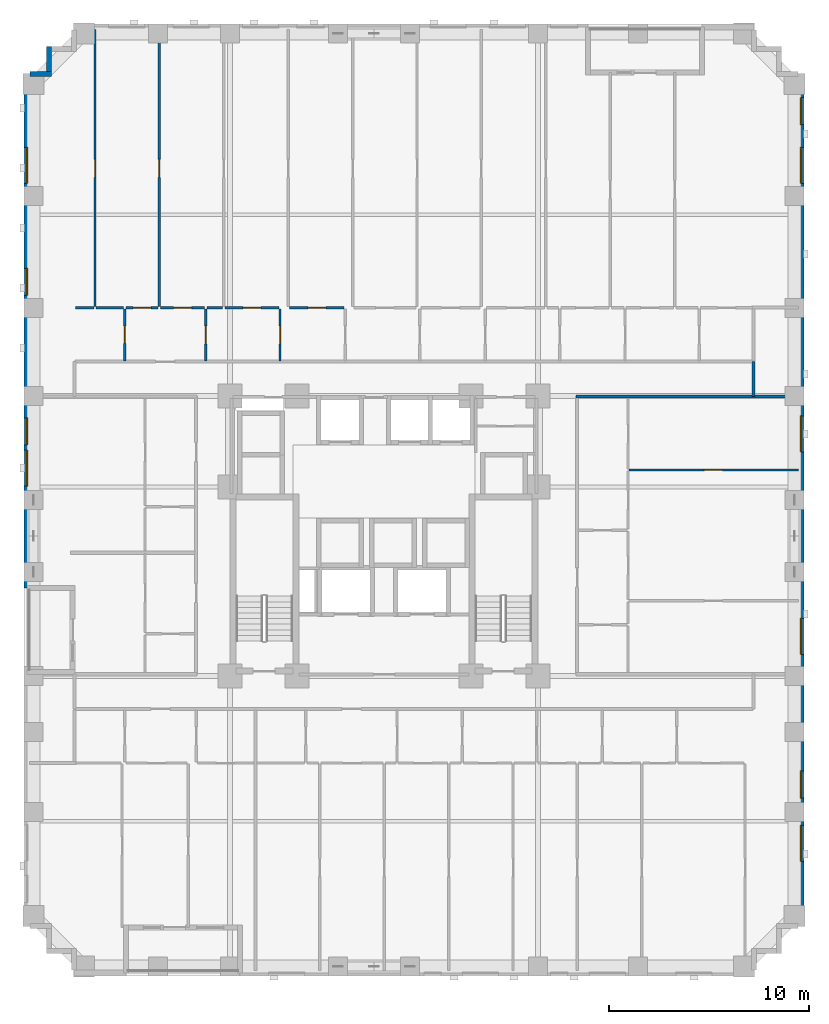
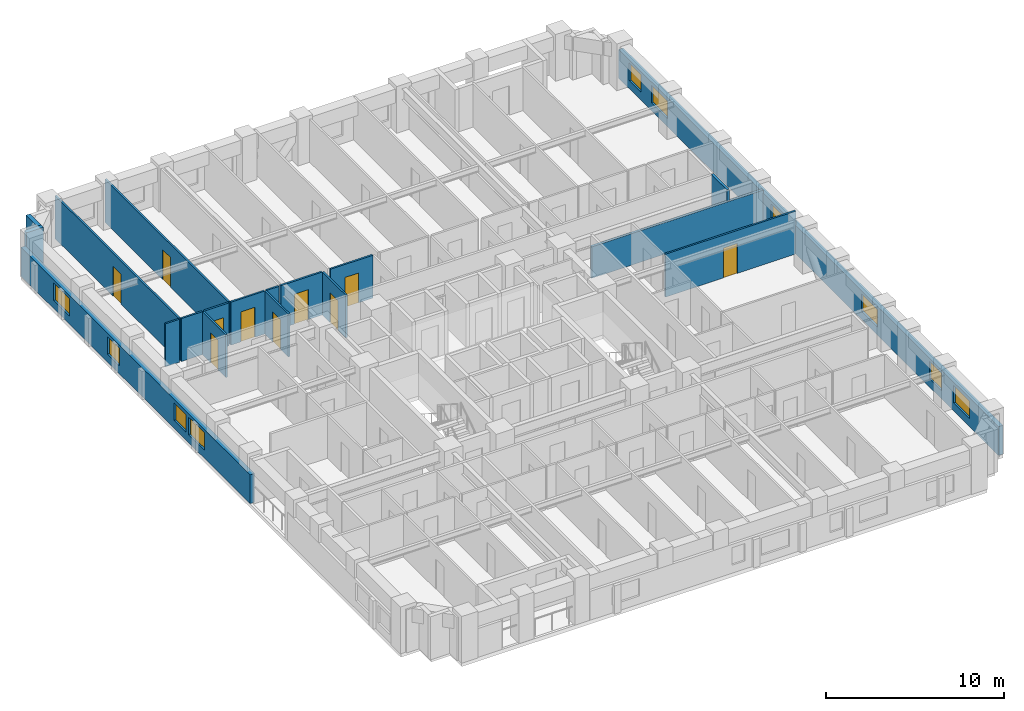
# One storey, part 7 of 14: 19 walls, 10 doors, 10 windows, 20 openings.
"""IFC4 building model written with IfcOpenShell, lengths in metres."""

import ifcopenshell
import ifcopenshell.guid

model = None  # the IFC model being written
_history = None  # IfcOwnerHistory: only IFC2X3 demands one
_inside = {}  # id of a spatial element -> (the spatial element, [elements in it])
_under = {}  # id of a project, library or spatial element -> (it, [spatial elements below it])
_declared = {}  # id of a project -> (the project, [libraries it declares])
_typed = {}  # id of a type object -> (the type object, [elements of that type])
_made_of = {}  # id of a material, layer set ... -> (it, [elements and type objects made of it])


def new_model(schema):
    """Start an empty IFC model of exactly this schema.

    Asked for "IFC4X3", IfcOpenShell would pick the latest addendum, in which some entities
    have other attributes; the version numbers below select the first issue.
    IFC2X3 requires an IfcOwnerHistory on every rooted entity: one is made here for all.
    """
    global model, _history
    if schema == "IFC4X3":
        model = ifcopenshell.file(schema_version=(4, 3, 0, 0))
    else:
        model = ifcopenshell.file(schema=schema)
    _inside.clear()
    _under.clear()
    _declared.clear()
    _typed.clear()
    _made_of.clear()
    _history = None
    if model.schema == "IFC2X3":
        org = make("IfcOrganization", Name="unknown")
        user = make(
            "IfcPersonAndOrganization",
            ThePerson=make("IfcPerson", FamilyName="unknown"),
            TheOrganization=org,
        )
        app = make(
            "IfcApplication",
            ApplicationDeveloper=org,
            Version="unknown",
            ApplicationFullName="unknown",
            ApplicationIdentifier="unknown",
        )
        _history = make(
            "IfcOwnerHistory",
            OwningUser=user,
            OwningApplication=app,
            ChangeAction="ADDED",
            CreationDate=0,
        )
    return model


def make(cls, **values):
    """One entity of the class cls with the attributes given. An attribute that is None is left unset."""
    return model.create_entity(
        cls, **{name: value for name, value in values.items() if value is not None}
    )


def rooted(cls, **values):
    """An entity with a GlobalId (a new one), such as an element, a storey or a relation."""
    return make(cls, GlobalId=ifcopenshell.guid.new(), OwnerHistory=_history, **values)


def si_unit(unit_type, name, prefix=None):
    """IfcSIUnit, for example si_unit("LENGTHUNIT", "METRE", prefix="MILLI")."""
    return make("IfcSIUnit", UnitType=unit_type, Prefix=prefix, Name=name)


def derived_unit(unit_type, elements):
    """IfcDerivedUnit: a product of units, each with its exponent."""
    return make(
        "IfcDerivedUnit",
        Elements=[
            make("IfcDerivedUnitElement", Unit=unit, Exponent=power)
            for unit, power in elements
        ],
        UnitType=unit_type,
    )


def assignment(units):
    """IfcUnitAssignment: the units of a project."""
    return None if units is None else make("IfcUnitAssignment", Units=units)


def point(xyz):
    """IfcCartesianPoint."""
    return None if xyz is None else make("IfcCartesianPoint", Coordinates=xyz)


def direction(xyz):
    """IfcDirection."""
    return None if xyz is None else make("IfcDirection", DirectionRatios=xyz)


def frame(location, z_axis=None, x_axis=None):
    """IfcAxis2Placement3D, a coordinate frame: its origin and axes. An axis left out is left unset."""
    return make(
        "IfcAxis2Placement3D",
        Location=point(location),
        Axis=direction(z_axis),
        RefDirection=direction(x_axis),
    )


def frame_2d(location, x_axis=None):
    """IfcAxis2Placement2D, a coordinate frame in the plane: its origin and x axis."""
    return make(
        "IfcAxis2Placement2D", Location=point(location), RefDirection=direction(x_axis)
    )


def origin():
    """The frame at (0, 0, 0) with its axes left unset."""
    return frame((0.0, 0.0, 0.0))


def place(relative_to, where):
    """IfcLocalPlacement: puts the frame where relative to a parent placement (None: the world)."""
    return make(
        "IfcLocalPlacement", PlacementRelTo=relative_to, RelativePlacement=where
    )


def context(
    kind, dimensions, precision=None, world=None, true_north=None, identifier=None
):
    """IfcGeometricRepresentationContext, for example the 3D "Model" context."""
    return make(
        "IfcGeometricRepresentationContext",
        ContextIdentifier=identifier,
        ContextType=kind,
        CoordinateSpaceDimension=dimensions,
        Precision=precision,
        WorldCoordinateSystem=world,
        TrueNorth=true_north,
    )


def subcontext(parent, identifier, kind, view, scale=None):
    """IfcGeometricRepresentationSubContext, for example "Body" below "Model"."""
    return make(
        "IfcGeometricRepresentationSubContext",
        ContextIdentifier=identifier,
        ContextType=kind,
        ParentContext=parent,
        TargetScale=scale,
        TargetView=view,
    )


def project(units=None, contexts=None):
    """IfcProject with its units and contexts."""
    return rooted(
        "IfcProject",
        Name="project",
        RepresentationContexts=contexts,
        UnitsInContext=assignment(units),
    )


def spatial(cls, under=None, at=None, **own):
    """A site, building, storey or space (cls), placed at a placement, below another one or the project."""
    s = rooted(cls, ObjectPlacement=at, **own)
    if under is not None:
        _under.setdefault(under.id(), (under, []))[1].append(s)
    return s


def profile(cls, at=None, kind="AREA", **sizes):
    """A parametric profile (cls). Its sizes go by their IFC names, for example OverallWidth=200.0."""
    return make(cls, ProfileType=kind, Position=at, **sizes)


def rectangle(**sizes):
    """IfcRectangleProfileDef."""
    return profile("IfcRectangleProfileDef", **sizes)


def extrude(swept, where, along, depth):
    """IfcExtrudedAreaSolid: the profile swept, set in the frame where, extruded along a direction by depth."""
    return make(
        "IfcExtrudedAreaSolid",
        SweptArea=swept,
        Position=where,
        ExtrudedDirection=direction(along),
        Depth=depth,
    )


def shape(context_of_items, identifier, shape_type, items):
    """IfcShapeRepresentation: the items that make up one representation, for example the "Body"."""
    return make(
        "IfcShapeRepresentation",
        ContextOfItems=context_of_items,
        RepresentationIdentifier=identifier,
        RepresentationType=shape_type,
        Items=items,
    )


def material(Name=None, Category=None):
    """IfcMaterial."""
    return make("IfcMaterial", Name=Name, Category=Category)


def layer(
    of_material, thickness, ventilated=None, Name=None, Category=None, Priority=None
):
    """IfcMaterialLayer: one layer of a wall or slab, of a material (None: an air gap)."""
    return make(
        "IfcMaterialLayer",
        Material=of_material,
        LayerThickness=thickness,
        IsVentilated=ventilated,
        Name=Name,
        Category=Category,
        Priority=Priority,
    )


def layer_set(layers, Name=None):
    """IfcMaterialLayerSet."""
    return make("IfcMaterialLayerSet", MaterialLayers=layers, LayerSetName=Name)


def made_of(thing, what):
    """Note that an element or type object is made of a material, layer set ...; save() writes the relation."""
    if what is not None:
        _made_of.setdefault(what.id(), (what, []))[1].append(thing)
    return thing


def type_object(cls, material=None, **own):
    """A type object (cls), such as IfcWallType, which elements share."""
    return made_of(rooted(cls, **own), material)


def element(
    cls,
    number,
    at=None,
    inside=None,
    cuts=None,
    type_object=None,
    material=None,
    context=None,
    identifier="Body",
    shape_type=None,
    held_by="IfcProductDefinitionShape",
    body=None,
    shapes=None,
    **own,
):
    """One element of the class cls, such as IfcWall. Its Tag is "e" and its number.

    at: its placement. inside: the storey or other place that contains it. cuts: it is an
    opening in that element (IfcRelVoidsElement). A single representation is given by context,
    identifier, shape_type and body (its items); several are given by shapes. held_by: the class
    of the entity that holds the representations. save() writes the other relations.
    """
    e = rooted(cls, Tag="e%d" % number, ObjectPlacement=at, **own)
    if body is not None:
        shapes = [shape(context, identifier, shape_type, body)]
    if shapes is not None:
        e.Representation = make(held_by, Representations=shapes)
    if inside is not None:
        _inside.setdefault(inside.id(), (inside, []))[1].append(e)
    if cuts is not None:
        rooted(
            "IfcRelVoidsElement", RelatingBuildingElement=cuts, RelatedOpeningElement=e
        )
    if type_object is not None:
        _typed.setdefault(type_object.id(), (type_object, []))[1].append(e)
    return made_of(e, material)


def fill(opening, filler):
    """IfcRelFillsElement: the door or window that sits in an opening."""
    return rooted(
        "IfcRelFillsElement",
        RelatingOpeningElement=opening,
        RelatedBuildingElement=filler,
    )


def aggregate(whole, parts):
    """IfcRelAggregates: a whole, such as a stair, and the parts it consists of."""
    return rooted("IfcRelAggregates", RelatingObject=whole, RelatedObjects=parts)


def save(model, path):
    """Write the relations noted so far, then the file.

    IfcRelAggregates (storeys below a building ...), IfcRelContainedInSpatialStructure (elements
    in a storey), IfcRelDefinesByType, IfcRelAssociatesMaterial and IfcRelDeclares: one each for
    every whole, place, type object, material and project.
    """
    for whole, parts in _under.values():
        aggregate(whole, parts)
    for where, things in _inside.values():
        rooted(
            "IfcRelContainedInSpatialStructure",
            RelatedElements=things,
            RelatingStructure=where,
        )
    for kind, things in _typed.values():
        rooted("IfcRelDefinesByType", RelatedObjects=things, RelatingType=kind)
    for what, things in _made_of.values():
        rooted("IfcRelAssociatesMaterial", RelatedObjects=things, RelatingMaterial=what)
    for by, libraries in _declared.values():
        rooted("IfcRelDeclares", RelatingContext=by, RelatedDefinitions=libraries)
    model.write(path)


model = new_model("IFC4")

# Units and contexts
model_context = context("Model", 3, precision=1e-05, world=origin(), true_north=direction((0.0, 1.0)))
body_context = subcontext(model_context, "Body", "Model", "MODEL_VIEW")
ifc_project = project(units=[si_unit("LENGTHUNIT", "METRE"), si_unit("AREAUNIT", "SQUARE_METRE"), si_unit("VOLUMEUNIT", "CUBIC_METRE"), si_unit("PLANEANGLEUNIT", "RADIAN"), si_unit("MASSUNIT", "GRAM", prefix="KILO"), derived_unit("THERMALTRANSMITTANCEUNIT", [(si_unit("MASSUNIT", "GRAM", prefix="KILO"), 1), (si_unit("TIMEUNIT", "SECOND"), -3), (si_unit("THERMODYNAMICTEMPERATUREUNIT", "KELVIN"), -1)])], contexts=[model_context])

# Site, building, storey
site_placement = place(None, origin())
site = spatial("IfcSite", under=ifc_project, at=site_placement, CompositionType="ELEMENT")
building_placement = place(site_placement, origin())
building = spatial("IfcBuilding", under=site, at=building_placement, Name="Korrvale Station Residences", CompositionType="ELEMENT")
storey_placement = place(building_placement, frame((0.0, 0.0, 38.60009765625)))
storey = spatial("IfcBuildingStorey", under=building, at=storey_placement, Name="L09", CompositionType="ELEMENT", Elevation=38.60009765625)

# Walls
ifc_material_1 = material(Name="Precast concrete C45/55", Category="concrete")
ifc_layer_1 = layer(ifc_material_1, 0.260009765625, Name="Precast concrete C45/55")
ifc_layer_set_1 = layer_set([ifc_layer_1], Name="Precast concrete C45/55")
wall_type_1 = type_object("IfcWallType", Name="WAL-EXT-LOG260", PredefinedType="SOLIDWALL", material=ifc_layer_set_1)
wall_1_placement = place(storey_placement, frame((7.802001953125, 45.10009765625, 0.0), z_axis=(0.0, 0.0, 1.0), x_axis=(1.0, 0.0, 0.0)))
element("IfcWall", 1, at=wall_1_placement, inside=storey, type_object=wall_type_1, Name="L09 Serrated Corner Precast Step NW-1", PredefinedType="SOLIDWALL", context=body_context, shape_type="SweptSolid", body=[
    extrude(rectangle(XDim=1.077880859375, YDim=0.260009765625, at=frame_2d((0.5390625, 0.0))), origin(), (0.0, 0.0, 1.0), 2.93994140625),
])
wall_2_placement = place(storey_placement, frame((8.75, 45.23193359375, 0.0), z_axis=(0.0, 0.0, 1.0), x_axis=(0.0, 1.0, 0.0)))
element("IfcWall", 2, at=wall_2_placement, inside=storey, type_object=wall_type_1, Name="L09 Serrated Corner Precast Step NW-2", PredefinedType="SOLIDWALL", context=body_context, shape_type="SweptSolid", body=[
    extrude(rectangle(XDim=1.248046875, YDim=0.260009765625, at=frame_2d((0.6240234375, 0.0))), origin(), (0.0, 0.0, 1.0), 2.93994140625),
])

# Wall, openings, windows
ifc_layer_2 = layer(ifc_material_1, 0.300048828125, Name="Precast concrete C45/55")
ifc_layer_set_2 = layer_set([ifc_layer_2], Name="Precast concrete C45/55")
wall_type_2 = type_object("IfcWallType", Name="WAL-EXT-PC300", PredefinedType="SOLIDWALL", material=ifc_layer_set_2)
wall_3_placement = place(storey_placement, frame((46.35009765625, 45.10009765625, 0.0), z_axis=(0.0, 0.0, 1.0), x_axis=(0.0, -1.0, 0.0)))
wall_3 = element("IfcWall", 3, at=wall_3_placement, inside=storey, type_object=wall_type_2, Name="L09 East Exterior Precast Wall 1", PredefinedType="SOLIDWALL", context=body_context, shape_type="SweptSolid", body=[
    extrude(rectangle(XDim=42.60009765625, YDim=0.300048828125, at=frame_2d((21.300048828125, 0.0))), origin(), (0.0, 0.0, 1.0), 1.974853515625),
])
opening_1_placement = place(wall_3_placement, frame((37.574951171875, 0.0, 0.550048828125)))
opening_1 = element("IfcOpeningElement", 4, at=opening_1_placement, cuts=wall_3, Name="Opening W-09", PredefinedType="OPENING", context=body_context, shape_type="SweptSolid", body=[
    extrude(rectangle(XDim=1.800048828125, YDim=1.199951171875, at=frame_2d((0.89990234375, 0.60009765625))), frame((0.0, 0.16015625, 0.0), z_axis=(0.0, -1.0, 0.0), x_axis=(1.0, 0.0, 0.0)), (0.0, 0.0, 1.0), 0.320068359375),
])
opening_2_placement = place(wall_3_placement, frame((34.85009765625, 0.0, 0.550048828125)))
opening_2 = element("IfcOpeningElement", 5, at=opening_2_placement, cuts=wall_3, Name="Opening W-10", PredefinedType="OPENING", context=body_context, shape_type="SweptSolid", body=[
    extrude(rectangle(XDim=1.35009765625, YDim=1.199951171875, at=frame_2d((0.675048828125, 0.60009765625))), frame((0.0, 0.16015625, 0.0), z_axis=(0.0, -1.0, 0.0), x_axis=(1.0, 0.0, 0.0)), (0.0, 0.0, 1.0), 0.320068359375),
])
opening_3_placement = place(wall_3_placement, frame((3.6650390625, 0.0, 0.550048828125)))
opening_3 = element("IfcOpeningElement", 6, at=opening_3_placement, cuts=wall_3, Name="Opening W-09", PredefinedType="OPENING", context=body_context, shape_type="SweptSolid", body=[
    extrude(rectangle(XDim=1.800048828125, YDim=1.199951171875, at=frame_2d((0.89990234375, 0.60009765625))), frame((0.0, 0.16015625, 0.0), z_axis=(0.0, -1.0, 0.0), x_axis=(1.0, 0.0, 0.0)), (0.0, 0.0, 1.0), 0.320068359375),
])
opening_4_placement = place(wall_3_placement, frame((1.18505859375, 0.0, 0.550048828125)))
opening_4 = element("IfcOpeningElement", 7, at=opening_4_placement, cuts=wall_3, Name="Opening W-10", PredefinedType="OPENING", context=body_context, shape_type="SweptSolid", body=[
    extrude(rectangle(XDim=1.35009765625, YDim=1.199951171875, at=frame_2d((0.675048828125, 0.60009765625))), frame((0.0, 0.16015625, 0.0), z_axis=(0.0, -1.0, 0.0), x_axis=(1.0, 0.0, 0.0)), (0.0, 0.0, 1.0), 0.320068359375),
])
opening_5_placement = place(wall_3_placement, frame((27.22509765625, 0.0, 0.550048828125)))
opening_5 = element("IfcOpeningElement", 8, at=opening_5_placement, cuts=wall_3, Name="Opening W-09", PredefinedType="OPENING", context=body_context, shape_type="SweptSolid", body=[
    extrude(rectangle(XDim=1.800048828125, YDim=1.199951171875, at=frame_2d((0.89990234375, 0.60009765625))), frame((0.0, 0.16015625, 0.0), z_axis=(0.0, -1.0, 0.0), x_axis=(1.0, 0.0, 0.0)), (0.0, 0.0, 1.0), 0.320068359375),
])
opening_6_placement = place(wall_3_placement, frame((17.10009765625, 0.0, 0.550048828125)))
opening_6 = element("IfcOpeningElement", 9, at=opening_6_placement, cuts=wall_3, Name="Opening W-09", PredefinedType="OPENING", context=body_context, shape_type="SweptSolid", body=[
    extrude(rectangle(XDim=1.800048828125, YDim=1.199951171875, at=frame_2d((0.89990234375, 0.60009765625))), frame((0.0, 0.16015625, 0.0), z_axis=(0.0, -1.0, 0.0), x_axis=(1.0, 0.0, 0.0)), (0.0, 0.0, 1.0), 0.320068359375),
])
ifc_material_2 = material(Name="Thermally broken aluminium frame with triple low-e glazing", Category="aluminium")
window_type_1 = type_object("IfcWindowType", Name="WIN-W09", PartitioningType="DOUBLE_PANEL_VERTICAL", PredefinedType="WINDOW", material=ifc_material_2)
window_1_placement = place(opening_1_placement, origin())
window_1 = element("IfcWindow", 10, at=window_1_placement, inside=storey, type_object=window_type_1, Name="L09 Punched Window 11", OverallHeight=1.199951171875, OverallWidth=1.800048828125, PartitioningType="DOUBLE_PANEL_VERTICAL", PredefinedType="WINDOW", context=body_context, shape_type="SweptSolid", body=[
    extrude(rectangle(XDim=1.800048828125, YDim=1.199951171875, at=frame_2d((0.89990234375, 0.60009765625))), frame((0.0, 0.030029296875, 0.0), z_axis=(0.0, -1.0, 0.0), x_axis=(1.0, 0.0, 0.0)), (0.0, 0.0, 1.0), 0.06005859375),
])
fill(opening_1, window_1)
window_2_placement = place(opening_3_placement, origin())
window_2 = element("IfcWindow", 11, at=window_2_placement, inside=storey, type_object=window_type_1, Name="L09 Punched Window 23", OverallHeight=1.199951171875, OverallWidth=1.800048828125, PartitioningType="DOUBLE_PANEL_VERTICAL", PredefinedType="WINDOW", context=body_context, shape_type="SweptSolid", body=[
    extrude(rectangle(XDim=1.800048828125, YDim=1.199951171875, at=frame_2d((0.89990234375, 0.60009765625))), frame((0.0, 0.030029296875, 0.0), z_axis=(0.0, -1.0, 0.0), x_axis=(1.0, 0.0, 0.0)), (0.0, 0.0, 1.0), 0.06005859375),
])
fill(opening_3, window_2)
window_3_placement = place(opening_5_placement, origin())
window_3 = element("IfcWindow", 12, at=window_3_placement, inside=storey, type_object=window_type_1, Name="L09 Punched Window 28", OverallHeight=1.199951171875, OverallWidth=1.800048828125, PartitioningType="DOUBLE_PANEL_VERTICAL", PredefinedType="WINDOW", context=body_context, shape_type="SweptSolid", body=[
    extrude(rectangle(XDim=1.800048828125, YDim=1.199951171875, at=frame_2d((0.89990234375, 0.60009765625))), frame((0.0, 0.030029296875, 0.0), z_axis=(0.0, -1.0, 0.0), x_axis=(1.0, 0.0, 0.0)), (0.0, 0.0, 1.0), 0.06005859375),
])
fill(opening_5, window_3)
window_4_placement = place(opening_6_placement, origin())
window_4 = element("IfcWindow", 13, at=window_4_placement, inside=storey, type_object=window_type_1, Name="L09 Punched Window 29", OverallHeight=1.199951171875, OverallWidth=1.800048828125, PartitioningType="DOUBLE_PANEL_VERTICAL", PredefinedType="WINDOW", context=body_context, shape_type="SweptSolid", body=[
    extrude(rectangle(XDim=1.800048828125, YDim=1.199951171875, at=frame_2d((0.89990234375, 0.60009765625))), frame((0.0, 0.030029296875, 0.0), z_axis=(0.0, -1.0, 0.0), x_axis=(1.0, 0.0, 0.0)), (0.0, 0.0, 1.0), 0.06005859375),
])
fill(opening_6, window_4)
window_type_2 = type_object("IfcWindowType", Name="WIN-W10", PartitioningType="SINGLE_PANEL", PredefinedType="WINDOW", material=ifc_material_2)
window_5_placement = place(opening_2_placement, origin())
window_5 = element("IfcWindow", 14, at=window_5_placement, inside=storey, type_object=window_type_2, Name="L09 Punched Window 12", OverallHeight=1.199951171875, OverallWidth=1.35009765625, PartitioningType="SINGLE_PANEL", PredefinedType="WINDOW", context=body_context, shape_type="SweptSolid", body=[
    extrude(rectangle(XDim=1.35009765625, YDim=1.199951171875, at=frame_2d((0.675048828125, 0.60009765625))), frame((0.0, 0.030029296875, 0.0), z_axis=(0.0, -1.0, 0.0), x_axis=(1.0, 0.0, 0.0)), (0.0, 0.0, 1.0), 0.06005859375),
])
fill(opening_2, window_5)
window_6_placement = place(opening_4_placement, origin())
window_6 = element("IfcWindow", 15, at=window_6_placement, inside=storey, type_object=window_type_2, Name="L09 Punched Window 24", OverallHeight=1.199951171875, OverallWidth=1.35009765625, PartitioningType="SINGLE_PANEL", PredefinedType="WINDOW", context=body_context, shape_type="SweptSolid", body=[
    extrude(rectangle(XDim=1.35009765625, YDim=1.199951171875, at=frame_2d((0.675048828125, 0.60009765625))), frame((0.0, 0.030029296875, 0.0), z_axis=(0.0, -1.0, 0.0), x_axis=(1.0, 0.0, 0.0)), (0.0, 0.0, 1.0), 0.06005859375),
])
fill(opening_4, window_6)

wall_4_placement = place(storey_placement, frame((7.64990234375, 19.39990234375, 0.0), z_axis=(0.0, 0.0, 1.0), x_axis=(0.0, 1.0, 0.0)))
wall_4 = element("IfcWall", 16, at=wall_4_placement, inside=storey, type_object=wall_type_2, Name="L09 West Exterior Precast Wall 2", PredefinedType="SOLIDWALL", context=body_context, shape_type="SweptSolid", body=[
    extrude(rectangle(XDim=25.7001953125, YDim=0.300048828125, at=frame_2d((12.85009765625, 0.0))), origin(), (0.0, 0.0, 1.0), 1.974853515625),
])
opening_7_placement = place(wall_4_placement, frame((20.235107421875, 0.0, 0.550048828125)))
opening_7 = element("IfcOpeningElement", 17, at=opening_7_placement, cuts=wall_4, Name="Opening W-09", PredefinedType="OPENING", context=body_context, shape_type="SweptSolid", body=[
    extrude(rectangle(XDim=1.800048828125, YDim=1.199951171875, at=frame_2d((0.89990234375, 0.60009765625))), frame((0.0, 0.16015625, 0.0), z_axis=(0.0, -1.0, 0.0), x_axis=(1.0, 0.0, 0.0)), (0.0, 0.0, 1.0), 0.320068359375),
])
opening_8_placement = place(wall_4_placement, frame((14.635009765625, 0.0, 0.550048828125)))
opening_8 = element("IfcOpeningElement", 18, at=opening_8_placement, cuts=wall_4, Name="Opening W-10", PredefinedType="OPENING", context=body_context, shape_type="SweptSolid", body=[
    extrude(rectangle(XDim=1.35009765625, YDim=1.199951171875, at=frame_2d((0.675048828125, 0.60009765625))), frame((0.0, 0.16015625, 0.0), z_axis=(0.0, -1.0, 0.0), x_axis=(1.0, 0.0, 0.0)), (0.0, 0.0, 1.0), 0.320068359375),
])
opening_9_placement = place(wall_4_placement, frame((5.10009765625, 0.0, 0.550048828125)))
opening_9 = element("IfcOpeningElement", 19, at=opening_9_placement, cuts=wall_4, Name="Opening W-09", PredefinedType="OPENING", context=body_context, shape_type="SweptSolid", body=[
    extrude(rectangle(XDim=1.800048828125, YDim=1.199951171875, at=frame_2d((0.89990234375, 0.60009765625))), frame((0.0, 0.16015625, 0.0), z_axis=(0.0, -1.0, 0.0), x_axis=(1.0, 0.0, 0.0)), (0.0, 0.0, 1.0), 0.320068359375),
])
opening_10_placement = place(wall_4_placement, frame((7.159912109375, 0.0, 0.550048828125)))
opening_10 = element("IfcOpeningElement", 20, at=opening_10_placement, cuts=wall_4, Name="Opening W-10", PredefinedType="OPENING", context=body_context, shape_type="SweptSolid", body=[
    extrude(rectangle(XDim=1.35009765625, YDim=1.199951171875, at=frame_2d((0.675048828125, 0.60009765625))), frame((0.0, 0.16015625, 0.0), z_axis=(0.0, -1.0, 0.0), x_axis=(1.0, 0.0, 0.0)), (0.0, 0.0, 1.0), 0.320068359375),
])
window_7_placement = place(opening_7_placement, origin())
window_7 = element("IfcWindow", 21, at=window_7_placement, inside=storey, type_object=window_type_1, Name="L09 Punched Window 13", OverallHeight=1.199951171875, OverallWidth=1.800048828125, PartitioningType="DOUBLE_PANEL_VERTICAL", PredefinedType="WINDOW", context=body_context, shape_type="SweptSolid", body=[
    extrude(rectangle(XDim=1.800048828125, YDim=1.199951171875, at=frame_2d((0.89990234375, 0.60009765625))), frame((0.0, 0.030029296875, 0.0), z_axis=(0.0, -1.0, 0.0), x_axis=(1.0, 0.0, 0.0)), (0.0, 0.0, 1.0), 0.06005859375),
])
fill(opening_7, window_7)
window_8_placement = place(opening_9_placement, origin())
window_8 = element("IfcWindow", 22, at=window_8_placement, inside=storey, type_object=window_type_1, Name="L09 Punched Window 26", OverallHeight=1.199951171875, OverallWidth=1.800048828125, PartitioningType="DOUBLE_PANEL_VERTICAL", PredefinedType="WINDOW", context=body_context, shape_type="SweptSolid", body=[
    extrude(rectangle(XDim=1.800048828125, YDim=1.199951171875, at=frame_2d((0.89990234375, 0.60009765625))), frame((0.0, 0.030029296875, 0.0), z_axis=(0.0, -1.0, 0.0), x_axis=(1.0, 0.0, 0.0)), (0.0, 0.0, 1.0), 0.06005859375),
])
fill(opening_9, window_8)
window_9_placement = place(opening_8_placement, origin())
window_9 = element("IfcWindow", 23, at=window_9_placement, inside=storey, type_object=window_type_2, Name="L09 Punched Window 14", OverallHeight=1.199951171875, OverallWidth=1.35009765625, PartitioningType="SINGLE_PANEL", PredefinedType="WINDOW", context=body_context, shape_type="SweptSolid", body=[
    extrude(rectangle(XDim=1.35009765625, YDim=1.199951171875, at=frame_2d((0.675048828125, 0.60009765625))), frame((0.0, 0.030029296875, 0.0), z_axis=(0.0, -1.0, 0.0), x_axis=(1.0, 0.0, 0.0)), (0.0, 0.0, 1.0), 0.06005859375),
])
fill(opening_8, window_9)
window_10_placement = place(opening_10_placement, origin())
window_10 = element("IfcWindow", 24, at=window_10_placement, inside=storey, type_object=window_type_2, Name="L09 Punched Window 27", OverallHeight=1.199951171875, OverallWidth=1.35009765625, PartitioningType="SINGLE_PANEL", PredefinedType="WINDOW", context=body_context, shape_type="SweptSolid", body=[
    extrude(rectangle(XDim=1.35009765625, YDim=1.199951171875, at=frame_2d((0.675048828125, 0.60009765625))), frame((0.0, 0.030029296875, 0.0), z_axis=(0.0, -1.0, 0.0), x_axis=(1.0, 0.0, 0.0)), (0.0, 0.0, 1.0), 0.06005859375),
])
fill(opening_10, window_10)

# Wall, opening, door
ifc_material_3 = material(Name="Acoustic steel-stud gypsum board partition", Category="steel")
ifc_layer_3 = layer(ifc_material_3, 0.1201171875, Name="Acoustic steel-stud gypsum board partition")
ifc_layer_set_3 = layer_set([ifc_layer_3], Name="Acoustic steel-stud gypsum board partition")
wall_type_3 = type_object("IfcWallType", Name="WAL-PART-125", PredefinedType="PARTITIONING", material=ifc_layer_set_3)
wall_5_placement = place(storey_placement, frame((12.5400390625, 30.760009765625, 0.0), z_axis=(0.0, 0.0, 1.0), x_axis=(0.0, 1.0, 0.0)))
wall_5 = element("IfcWall", 25, at=wall_5_placement, inside=storey, type_object=wall_type_3, Name="L09 Suite Partition U03-V01", PredefinedType="PARTITIONING", context=body_context, shape_type="SweptSolid", body=[
    extrude(rectangle(XDim=2.60009765625, YDim=0.1201171875, at=frame_2d((1.300048828125, 0.0))), origin(), (0.0, 0.0, 1.0), 2.93994140625),
])
opening_11_placement = place(wall_5_placement, frame((0.8701171875, 0.0, 0.0)))
opening_11 = element("IfcOpeningElement", 26, at=opening_11_placement, cuts=wall_5, Name="Opening DB-860", PredefinedType="OPENING", context=body_context, shape_type="SweptSolid", body=[
    extrude(rectangle(XDim=0.860107421875, YDim=2.050048828125, at=frame_2d((0.43017578125, 1.02490234375))), frame((0.0, 0.070068359375, 0.0), z_axis=(0.0, -1.0, 0.0), x_axis=(1.0, 0.0, 0.0)), (0.0, 0.0, 1.0), 0.14013671875),
])
ifc_material_4 = material(Name="Moisture-resistant solid-core bathroom door", Category="timber")
door_type_1 = type_object("IfcDoorType", Name="DR-BATH-860", OperationType="NOTDEFINED", PredefinedType="DOOR", material=ifc_material_4)
door_1_placement = place(opening_11_placement, origin())
door_1 = element("IfcDoor", 27, at=door_1_placement, inside=storey, type_object=door_type_1, Name="L09 Studio Apartment L09-U03 Bathroom Door", OperationType="SINGLE_SWING_LEFT", OverallHeight=2.050048828125, OverallWidth=0.860107421875, PredefinedType="DOOR", context=body_context, shape_type="SweptSolid", body=[
    extrude(rectangle(XDim=0.860107421875, YDim=2.050048828125, at=frame_2d((0.43017578125, 1.02490234375))), frame((0.0, 0.02490234375, 0.0), z_axis=(0.0, -1.0, 0.0), x_axis=(1.0, 0.0, 0.0)), (0.0, 0.0, 1.0), 0.050048828125),
])
fill(opening_11, door_1)

# Walls
wall_6_placement = place(storey_placement, frame((10.080078125, 33.419921875, 0.0), z_axis=(0.0, 0.0, 1.0), x_axis=(1.0, 0.0, 0.0)))
element("IfcWall", 28, at=wall_6_placement, inside=storey, type_object=wall_type_3, Name="L09 Suite Partition U03-H010", PredefinedType="PARTITIONING", context=body_context, shape_type="SweptSolid", body=[
    extrude(rectangle(XDim=0.909912109375, YDim=0.1201171875, at=frame_2d((0.455078125, 0.0))), origin(), (0.0, 0.0, 1.0), 2.93994140625),
])
wall_7_placement = place(storey_placement, frame((11.110107421875, 33.419921875, 0.0), z_axis=(0.0, 0.0, 1.0), x_axis=(1.0, 0.0, 0.0)))
element("IfcWall", 29, at=wall_7_placement, inside=storey, type_object=wall_type_3, Name="L09 Suite Partition U03-H011", PredefinedType="PARTITIONING", context=body_context, shape_type="SweptSolid", body=[
    extrude(rectangle(XDim=1.369873046875, YDim=0.1201171875, at=frame_2d((0.68505859375, 0.0))), origin(), (0.0, 0.0, 1.0), 2.93994140625),
])

# Wall, opening, door
wall_8_placement = place(storey_placement, frame((16.580078125, 30.760009765625, 0.0), z_axis=(0.0, 0.0, 1.0), x_axis=(0.0, 1.0, 0.0)))
wall_8 = element("IfcWall", 30, at=wall_8_placement, inside=storey, type_object=wall_type_3, Name="L09 Suite Partition U03-V12", PredefinedType="PARTITIONING", context=body_context, shape_type="SweptSolid", body=[
    extrude(rectangle(XDim=2.60009765625, YDim=0.1201171875, at=frame_2d((1.300048828125, 0.0))), origin(), (0.0, 0.0, 1.0), 2.93994140625),
])
opening_12_placement = place(wall_8_placement, frame((0.85009765625, 0.0, 0.0)))
opening_12 = element("IfcOpeningElement", 31, at=opening_12_placement, cuts=wall_8, Name="Opening DI-900", PredefinedType="OPENING", context=body_context, shape_type="SweptSolid", body=[
    extrude(rectangle(XDim=0.89990234375, YDim=2.050048828125, at=frame_2d((0.449951171875, 1.02490234375))), frame((0.0, 0.070068359375, 0.0), z_axis=(0.0, -1.0, 0.0), x_axis=(1.0, 0.0, 0.0)), (0.0, 0.0, 1.0), 0.14013671875),
])
ifc_material_5 = material(Name="Painted solid-core timber interior room door", Category="wood")
door_type_2 = type_object("IfcDoorType", Name="DR-INT-900", OperationType="NOTDEFINED", PredefinedType="DOOR", material=ifc_material_5)
door_2_placement = place(opening_12_placement, origin())
door_2 = element("IfcDoor", 32, at=door_2_placement, inside=storey, type_object=door_type_2, Name="L09 Studio Apartment L09-U03 Kitchen Door", OperationType="SINGLE_SWING_RIGHT", OverallHeight=2.050048828125, OverallWidth=0.89990234375, PredefinedType="DOOR", context=body_context, shape_type="SweptSolid", body=[
    extrude(rectangle(XDim=0.89990234375, YDim=2.050048828125, at=frame_2d((0.449951171875, 1.02490234375))), frame((0.0, 0.02490234375, 0.0), z_axis=(0.0, -1.0, 0.0), x_axis=(1.0, 0.0, 0.0)), (0.0, 0.0, 1.0), 0.050048828125),
])
fill(opening_12, door_2)

wall_9_placement = place(storey_placement, frame((12.60009765625, 33.419921875, 0.0), z_axis=(0.0, 0.0, 1.0), x_axis=(1.0, 0.0, 0.0)))
wall_9 = element("IfcWall", 33, at=wall_9_placement, inside=storey, type_object=wall_type_3, Name="L09 Suite Partition U03-H111", PredefinedType="PARTITIONING", context=body_context, shape_type="SweptSolid", body=[
    extrude(rectangle(XDim=1.60986328125, YDim=0.1201171875, at=frame_2d((0.804931640625, 0.0))), origin(), (0.0, 0.0, 1.0), 2.93994140625),
])
opening_13_placement = place(wall_9_placement, frame((0.35498046875, 0.0, 0.0)))
opening_13 = element("IfcOpeningElement", 34, at=opening_13_placement, cuts=wall_9, Name="Opening DI-900", PredefinedType="OPENING", context=body_context, shape_type="SweptSolid", body=[
    extrude(rectangle(XDim=0.89990234375, YDim=2.050048828125, at=frame_2d((0.449951171875, 1.02490234375))), frame((0.0, 0.070068359375, 0.0), z_axis=(0.0, -1.0, 0.0), x_axis=(1.0, 0.0, 0.0)), (0.0, 0.0, 1.0), 0.14013671875),
])
door_3_placement = place(opening_13_placement, origin())
door_3 = element("IfcDoor", 35, at=door_3_placement, inside=storey, type_object=door_type_2, Name="L09 Studio Apartment L09-U03 Kitchen Door", OperationType="SINGLE_SWING_LEFT", OverallHeight=2.050048828125, OverallWidth=0.89990234375, PredefinedType="DOOR", context=body_context, shape_type="SweptSolid", body=[
    extrude(rectangle(XDim=0.89990234375, YDim=2.050048828125, at=frame_2d((0.449951171875, 1.02490234375))), frame((0.0, 0.02490234375, 0.0), z_axis=(0.0, -1.0, 0.0), x_axis=(1.0, 0.0, 0.0)), (0.0, 0.0, 1.0), 0.050048828125),
])
fill(opening_13, door_3)

wall_10_placement = place(storey_placement, frame((14.330078125, 33.419921875, 0.0), z_axis=(0.0, 0.0, 1.0), x_axis=(1.0, 0.0, 0.0)))
wall_10 = element("IfcWall", 36, at=wall_10_placement, inside=storey, type_object=wall_type_3, Name="L09 Suite Partition U03-H112", PredefinedType="PARTITIONING", context=body_context, shape_type="SweptSolid", body=[
    extrude(rectangle(XDim=2.18994140625, YDim=0.1201171875, at=frame_2d((1.094970703125, 0.0))), origin(), (0.0, 0.0, 1.0), 2.93994140625),
])
opening_14_placement = place(wall_10_placement, frame((0.64501953125, 0.0, 0.0)))
opening_14 = element("IfcOpeningElement", 37, at=opening_14_placement, cuts=wall_10, Name="Opening DI-900", PredefinedType="OPENING", context=body_context, shape_type="SweptSolid", body=[
    extrude(rectangle(XDim=0.89990234375, YDim=2.050048828125, at=frame_2d((0.449951171875, 1.02490234375))), frame((0.0, 0.070068359375, 0.0), z_axis=(0.0, -1.0, 0.0), x_axis=(1.0, 0.0, 0.0)), (0.0, 0.0, 1.0), 0.14013671875),
])
door_4_placement = place(opening_14_placement, origin())
door_4 = element("IfcDoor", 38, at=door_4_placement, inside=storey, type_object=door_type_2, Name="L09 Studio Apartment L09-U03 Kitchen Door", OperationType="SINGLE_SWING_RIGHT", OverallHeight=2.050048828125, OverallWidth=0.89990234375, PredefinedType="DOOR", context=body_context, shape_type="SweptSolid", body=[
    extrude(rectangle(XDim=0.89990234375, YDim=2.050048828125, at=frame_2d((0.449951171875, 1.02490234375))), frame((0.0, 0.02490234375, 0.0), z_axis=(0.0, -1.0, 0.0), x_axis=(1.0, 0.0, 0.0)), (0.0, 0.0, 1.0), 0.050048828125),
])
fill(opening_14, door_4)

wall_11_placement = place(storey_placement, frame((20.300048828125, 30.760009765625, 0.0), z_axis=(0.0, 0.0, 1.0), x_axis=(0.0, 1.0, 0.0)))
wall_11 = element("IfcWall", 39, at=wall_11_placement, inside=storey, type_object=wall_type_3, Name="L09 Suite Partition U03-V23", PredefinedType="PARTITIONING", context=body_context, shape_type="SweptSolid", body=[
    extrude(rectangle(XDim=2.60009765625, YDim=0.1201171875, at=frame_2d((1.300048828125, 0.0))), origin(), (0.0, 0.0, 1.0), 2.93994140625),
])
opening_15_placement = place(wall_11_placement, frame((0.85009765625, 0.0, 0.0)))
opening_15 = element("IfcOpeningElement", 40, at=opening_15_placement, cuts=wall_11, Name="Opening DI-900", PredefinedType="OPENING", context=body_context, shape_type="SweptSolid", body=[
    extrude(rectangle(XDim=0.89990234375, YDim=2.050048828125, at=frame_2d((0.449951171875, 1.02490234375))), frame((0.0, 0.070068359375, 0.0), z_axis=(0.0, -1.0, 0.0), x_axis=(1.0, 0.0, 0.0)), (0.0, 0.0, 1.0), 0.14013671875),
])
door_5_placement = place(opening_15_placement, origin())
door_5 = element("IfcDoor", 41, at=door_5_placement, inside=storey, type_object=door_type_2, Name="L09 Studio Apartment L09-U03 Utility and Laundry Room Door", OperationType="SINGLE_SWING_LEFT", OverallHeight=2.050048828125, OverallWidth=0.89990234375, PredefinedType="DOOR", context=body_context, shape_type="SweptSolid", body=[
    extrude(rectangle(XDim=0.89990234375, YDim=2.050048828125, at=frame_2d((0.449951171875, 1.02490234375))), frame((0.0, 0.02490234375, 0.0), z_axis=(0.0, -1.0, 0.0), x_axis=(1.0, 0.0, 0.0)), (0.0, 0.0, 1.0), 0.050048828125),
])
fill(opening_15, door_5)

# Wall
wall_12_placement = place(storey_placement, frame((16.639892578125, 33.419921875, 0.0), z_axis=(0.0, 0.0, 1.0), x_axis=(1.0, 0.0, 0.0)))
element("IfcWall", 42, at=wall_12_placement, inside=storey, type_object=wall_type_3, Name="L09 Suite Partition U03-H212", PredefinedType="PARTITIONING", context=body_context, shape_type="SweptSolid", body=[
    extrude(rectangle(XDim=0.7900390625, YDim=0.1201171875, at=frame_2d((0.39501953125, 0.0))), origin(), (0.0, 0.0, 1.0), 2.93994140625),
])

# Wall, opening, door
wall_13_placement = place(storey_placement, frame((17.550048828125, 33.419921875, 0.0), z_axis=(0.0, 0.0, 1.0), x_axis=(1.0, 0.0, 0.0)))
wall_13 = element("IfcWall", 43, at=wall_13_placement, inside=storey, type_object=wall_type_3, Name="L09 Suite Partition U03-H213", PredefinedType="PARTITIONING", context=body_context, shape_type="SweptSolid", body=[
    extrude(rectangle(XDim=2.68994140625, YDim=0.1201171875, at=frame_2d((1.344970703125, 0.0))), origin(), (0.0, 0.0, 1.0), 2.93994140625),
])
opening_16_placement = place(wall_13_placement, frame((0.89501953125, 0.0, 0.0)))
opening_16 = element("IfcOpeningElement", 44, at=opening_16_placement, cuts=wall_13, Name="Opening DI-900", PredefinedType="OPENING", context=body_context, shape_type="SweptSolid", body=[
    extrude(rectangle(XDim=0.89990234375, YDim=2.050048828125, at=frame_2d((0.449951171875, 1.02490234375))), frame((0.0, 0.070068359375, 0.0), z_axis=(0.0, -1.0, 0.0), x_axis=(1.0, 0.0, 0.0)), (0.0, 0.0, 1.0), 0.14013671875),
])
door_6_placement = place(opening_16_placement, origin())
door_6 = element("IfcDoor", 45, at=door_6_placement, inside=storey, type_object=door_type_2, Name="L09 Studio Apartment L09-U03 Utility and Laundry Room Door", OperationType="SINGLE_SWING_RIGHT", OverallHeight=2.050048828125, OverallWidth=0.89990234375, PredefinedType="DOOR", context=body_context, shape_type="SweptSolid", body=[
    extrude(rectangle(XDim=0.89990234375, YDim=2.050048828125, at=frame_2d((0.449951171875, 1.02490234375))), frame((0.0, 0.02490234375, 0.0), z_axis=(0.0, -1.0, 0.0), x_axis=(1.0, 0.0, 0.0)), (0.0, 0.0, 1.0), 0.050048828125),
])
fill(opening_16, door_6)

wall_14_placement = place(storey_placement, frame((20.77001953125, 33.419921875, 0.0), z_axis=(0.0, 0.0, 1.0), x_axis=(1.0, 0.0, 0.0)))
wall_14 = element("IfcWall", 46, at=wall_14_placement, inside=storey, type_object=wall_type_3, Name="L09 Suite Partition U03-H314", PredefinedType="PARTITIONING", context=body_context, shape_type="SweptSolid", body=[
    extrude(rectangle(XDim=2.739990234375, YDim=0.1201171875, at=frame_2d((1.3701171875, 0.0))), origin(), (0.0, 0.0, 1.0), 2.93994140625),
])
opening_17_placement = place(wall_14_placement, frame((0.919921875, 0.0, 0.0)))
opening_17 = element("IfcOpeningElement", 47, at=opening_17_placement, cuts=wall_14, Name="Opening DI-900", PredefinedType="OPENING", context=body_context, shape_type="SweptSolid", body=[
    extrude(rectangle(XDim=0.89990234375, YDim=2.050048828125, at=frame_2d((0.449951171875, 1.02490234375))), frame((0.0, 0.070068359375, 0.0), z_axis=(0.0, -1.0, 0.0), x_axis=(1.0, 0.0, 0.0)), (0.0, 0.0, 1.0), 0.14013671875),
])
door_7_placement = place(opening_17_placement, origin())
door_7 = element("IfcDoor", 48, at=door_7_placement, inside=storey, type_object=door_type_2, Name="L09 Studio Apartment L09-U03 Storage Closet 2 Door", OperationType="SINGLE_SWING_RIGHT", OverallHeight=2.050048828125, OverallWidth=0.89990234375, PredefinedType="DOOR", context=body_context, shape_type="SweptSolid", body=[
    extrude(rectangle(XDim=0.89990234375, YDim=2.050048828125, at=frame_2d((0.449951171875, 1.02490234375))), frame((0.0, 0.02490234375, 0.0), z_axis=(0.0, -1.0, 0.0), x_axis=(1.0, 0.0, 0.0)), (0.0, 0.0, 1.0), 0.050048828125),
])
fill(opening_17, door_7)

wall_15_placement = place(storey_placement, frame((11.050048828125, 33.47998046875, 0.0), z_axis=(0.0, 0.0, 1.0), x_axis=(0.0, 1.0, 0.0)))
wall_15 = element("IfcWall", 49, at=wall_15_placement, inside=storey, type_object=wall_type_3, Name="L09 Suite Partition U03-V1011", PredefinedType="PARTITIONING", context=body_context, shape_type="SweptSolid", body=[
    extrude(rectangle(XDim=13.840087890625, YDim=0.1201171875, at=frame_2d((6.919921875, 0.0))), origin(), (0.0, 0.0, 1.0), 2.93994140625),
])
opening_18_placement = place(wall_15_placement, frame((6.455078125, 0.0, 0.0)))
opening_18 = element("IfcOpeningElement", 50, at=opening_18_placement, cuts=wall_15, Name="Opening DI-900", PredefinedType="OPENING", context=body_context, shape_type="SweptSolid", body=[
    extrude(rectangle(XDim=0.89990234375, YDim=2.050048828125, at=frame_2d((0.449951171875, 1.02490234375))), frame((0.0, 0.070068359375, 0.0), z_axis=(0.0, -1.0, 0.0), x_axis=(1.0, 0.0, 0.0)), (0.0, 0.0, 1.0), 0.14013671875),
])
door_8_placement = place(opening_18_placement, origin())
door_8 = element("IfcDoor", 51, at=door_8_placement, inside=storey, type_object=door_type_2, Name="L09 Studio Apartment L09-U03 Walk-In Wardrobe Door", OperationType="SINGLE_SWING_RIGHT", OverallHeight=2.050048828125, OverallWidth=0.89990234375, PredefinedType="DOOR", context=body_context, shape_type="SweptSolid", body=[
    extrude(rectangle(XDim=0.89990234375, YDim=2.050048828125, at=frame_2d((0.449951171875, 1.02490234375))), frame((0.0, 0.02490234375, 0.0), z_axis=(0.0, -1.0, 0.0), x_axis=(1.0, 0.0, 0.0)), (0.0, 0.0, 1.0), 0.050048828125),
])
fill(opening_18, door_8)

wall_16_placement = place(storey_placement, frame((14.27001953125, 33.47998046875, 0.0), z_axis=(0.0, 0.0, 1.0), x_axis=(0.0, 1.0, 0.0)))
wall_16 = element("IfcWall", 52, at=wall_16_placement, inside=storey, type_object=wall_type_3, Name="L09 Suite Partition U03-V1112", PredefinedType="PARTITIONING", context=body_context, shape_type="SweptSolid", body=[
    extrude(rectangle(XDim=13.840087890625, YDim=0.1201171875, at=frame_2d((6.919921875, 0.0))), origin(), (0.0, 0.0, 1.0), 2.93994140625),
])
opening_19_placement = place(wall_16_placement, frame((6.455078125, 0.0, 0.0)))
opening_19 = element("IfcOpeningElement", 53, at=opening_19_placement, cuts=wall_16, Name="Opening DI-900", PredefinedType="OPENING", context=body_context, shape_type="SweptSolid", body=[
    extrude(rectangle(XDim=0.89990234375, YDim=2.050048828125, at=frame_2d((0.449951171875, 1.02490234375))), frame((0.0, 0.070068359375, 0.0), z_axis=(0.0, -1.0, 0.0), x_axis=(1.0, 0.0, 0.0)), (0.0, 0.0, 1.0), 0.14013671875),
])
door_9_placement = place(opening_19_placement, origin())
door_9 = element("IfcDoor", 54, at=door_9_placement, inside=storey, type_object=door_type_2, Name="L09 Studio Apartment L09-U03 Walk-In Wardrobe Door", OperationType="SINGLE_SWING_LEFT", OverallHeight=2.050048828125, OverallWidth=0.89990234375, PredefinedType="DOOR", context=body_context, shape_type="SweptSolid", body=[
    extrude(rectangle(XDim=0.89990234375, YDim=2.050048828125, at=frame_2d((0.449951171875, 1.02490234375))), frame((0.0, 0.02490234375, 0.0), z_axis=(0.0, -1.0, 0.0), x_axis=(1.0, 0.0, 0.0)), (0.0, 0.0, 1.0), 0.050048828125),
])
fill(opening_19, door_9)

wall_17_placement = place(storey_placement, frame((37.760009765625, 25.301025390625, 0.0), z_axis=(0.0, 0.0, 1.0), x_axis=(1.0, 0.0, 0.0)))
wall_17 = element("IfcWall", 55, at=wall_17_placement, inside=storey, type_object=wall_type_3, Name="L09 Suite Partition U06-H45", PredefinedType="PARTITIONING", context=body_context, shape_type="SweptSolid", body=[
    extrude(rectangle(XDim=8.4599609375, YDim=0.1201171875, at=frame_2d((4.22998046875, 0.0))), origin(), (0.0, 0.0, 1.0), 2.93994140625),
])
opening_20_placement = place(wall_17_placement, frame((3.764892578125, 0.0, 0.0)))
opening_20 = element("IfcOpeningElement", 56, at=opening_20_placement, cuts=wall_17, Name="Opening DI-900", PredefinedType="OPENING", context=body_context, shape_type="SweptSolid", body=[
    extrude(rectangle(XDim=0.89990234375, YDim=2.050048828125, at=frame_2d((0.449951171875, 1.02490234375))), frame((0.0, 0.070068359375, 0.0), z_axis=(0.0, -1.0, 0.0), x_axis=(1.0, 0.0, 0.0)), (0.0, 0.0, 1.0), 0.14013671875),
])
door_10_placement = place(opening_20_placement, origin())
door_10 = element("IfcDoor", 57, at=door_10_placement, inside=storey, type_object=door_type_2, Name="L09 Apartment 2BR L09-U06 Living and Dining Room Door", OperationType="SINGLE_SWING_RIGHT", OverallHeight=2.050048828125, OverallWidth=0.89990234375, PredefinedType="DOOR", context=body_context, shape_type="SweptSolid", body=[
    extrude(rectangle(XDim=0.89990234375, YDim=2.050048828125, at=frame_2d((0.449951171875, 1.02490234375))), frame((0.0, 0.02490234375, 0.0), z_axis=(0.0, -1.0, 0.0), x_axis=(1.0, 0.0, 0.0)), (0.0, 0.0, 1.0), 0.050048828125),
])
fill(opening_20, door_10)

# Walls
ifc_material_6 = material(Name="Fire-rated twin-stud gypsum and mineral wool shaftwall assembly", Category="gypsum")
ifc_layer_4 = layer(ifc_material_6, 0.159912109375, Name="Fire-rated twin-stud gypsum and mineral wool shaftwall assembly")
ifc_layer_set_4 = layer_set([ifc_layer_4], Name="Fire-rated twin-stud gypsum and mineral wool shaftwall assembly")
wall_type_4 = type_object("IfcWallType", Name="WAL-PART-200", PredefinedType="PARTITIONING", material=ifc_layer_set_4)
wall_18_placement = place(storey_placement, frame((43.97998046875, 28.97998046875, 0.0), z_axis=(0.0, 0.0, 1.0), x_axis=(0.0, 1.0, 0.0)))
element("IfcWall", 58, at=wall_18_placement, inside=storey, type_object=wall_type_4, Name="L09 Corridor North East Cap", PredefinedType="PARTITIONING", context=body_context, shape_type="SweptSolid", body=[
    extrude(rectangle(XDim=1.739990234375, YDim=0.159912109375, at=frame_2d((0.8701171875, 0.0))), origin(), (0.0, 0.0, 1.0), 2.93994140625),
])
wall_19_placement = place(storey_placement, frame((35.110107421875, 28.97998046875, 0.0), z_axis=(0.0, 0.0, 1.0), x_axis=(1.0, 0.0, 0.0)))
element("IfcWall", 59, at=wall_19_placement, inside=storey, type_object=wall_type_4, Name="L09 East Wing North Corridor Wall", PredefinedType="PARTITIONING", context=body_context, shape_type="SweptSolid", body=[
    extrude(rectangle(XDim=11.10986328125, YDim=0.159912109375, at=frame_2d((5.554931640625, 0.0))), origin(), (0.0, 0.0, 1.0), 2.15478515625),
])

save(model, "model.ifc")
